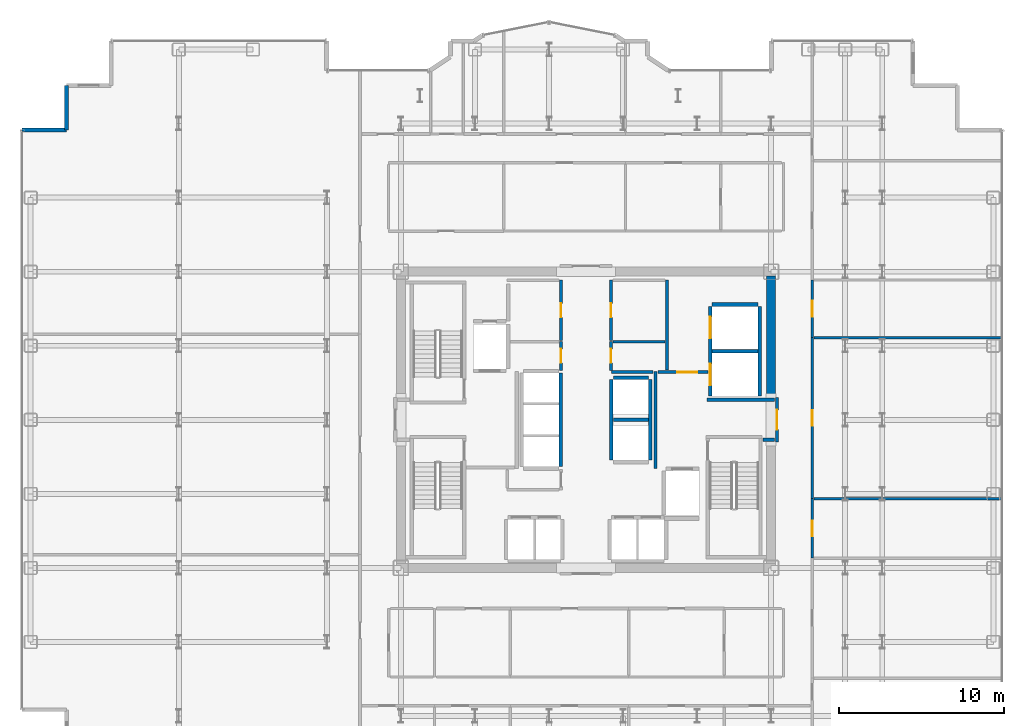
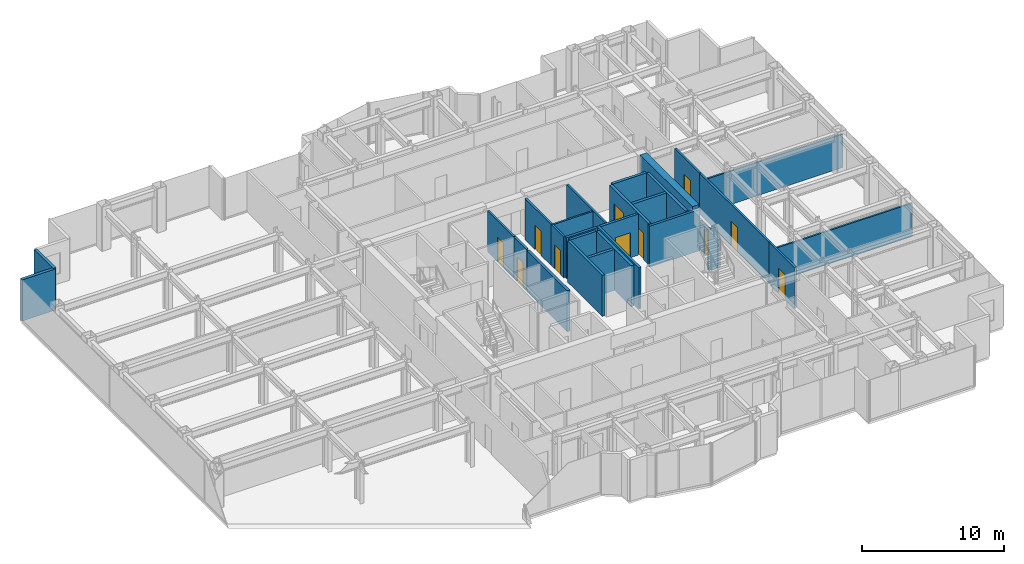
# One storey, part 20 of 23: 29 walls, 11 doors, 11 openings.
"""IFC4 building model written with IfcOpenShell, lengths in metres."""

import ifcopenshell
import ifcopenshell.guid

model = None  # the IFC model being written
_history = None  # IfcOwnerHistory: only IFC2X3 demands one
_inside = {}  # id of a spatial element -> (the spatial element, [elements in it])
_under = {}  # id of a project, library or spatial element -> (it, [spatial elements below it])
_declared = {}  # id of a project -> (the project, [libraries it declares])
_typed = {}  # id of a type object -> (the type object, [elements of that type])
_made_of = {}  # id of a material, layer set ... -> (it, [elements and type objects made of it])


def new_model(schema):
    """Start an empty IFC model of exactly this schema.

    Asked for "IFC4X3", IfcOpenShell would pick the latest addendum, in which some entities
    have other attributes; the version numbers below select the first issue.
    IFC2X3 requires an IfcOwnerHistory on every rooted entity: one is made here for all.
    """
    global model, _history
    if schema == "IFC4X3":
        model = ifcopenshell.file(schema_version=(4, 3, 0, 0))
    else:
        model = ifcopenshell.file(schema=schema)
    _inside.clear()
    _under.clear()
    _declared.clear()
    _typed.clear()
    _made_of.clear()
    _history = None
    if model.schema == "IFC2X3":
        org = make("IfcOrganization", Name="unknown")
        user = make(
            "IfcPersonAndOrganization",
            ThePerson=make("IfcPerson", FamilyName="unknown"),
            TheOrganization=org,
        )
        app = make(
            "IfcApplication",
            ApplicationDeveloper=org,
            Version="unknown",
            ApplicationFullName="unknown",
            ApplicationIdentifier="unknown",
        )
        _history = make(
            "IfcOwnerHistory",
            OwningUser=user,
            OwningApplication=app,
            ChangeAction="ADDED",
            CreationDate=0,
        )
    return model


def make(cls, **values):
    """One entity of the class cls with the attributes given. An attribute that is None is left unset."""
    return model.create_entity(
        cls, **{name: value for name, value in values.items() if value is not None}
    )


def rooted(cls, **values):
    """An entity with a GlobalId (a new one), such as an element, a storey or a relation."""
    return make(cls, GlobalId=ifcopenshell.guid.new(), OwnerHistory=_history, **values)


def si_unit(unit_type, name, prefix=None):
    """IfcSIUnit, for example si_unit("LENGTHUNIT", "METRE", prefix="MILLI")."""
    return make("IfcSIUnit", UnitType=unit_type, Prefix=prefix, Name=name)


def assignment(units):
    """IfcUnitAssignment: the units of a project."""
    return None if units is None else make("IfcUnitAssignment", Units=units)


def point(xyz):
    """IfcCartesianPoint."""
    return None if xyz is None else make("IfcCartesianPoint", Coordinates=xyz)


def direction(xyz):
    """IfcDirection."""
    return None if xyz is None else make("IfcDirection", DirectionRatios=xyz)


def frame(location, z_axis=None, x_axis=None):
    """IfcAxis2Placement3D, a coordinate frame: its origin and axes. An axis left out is left unset."""
    return make(
        "IfcAxis2Placement3D",
        Location=point(location),
        Axis=direction(z_axis),
        RefDirection=direction(x_axis),
    )


def frame_2d(location, x_axis=None):
    """IfcAxis2Placement2D, a coordinate frame in the plane: its origin and x axis."""
    return make(
        "IfcAxis2Placement2D", Location=point(location), RefDirection=direction(x_axis)
    )


def origin():
    """The frame at (0, 0, 0) with its axes left unset."""
    return frame((0.0, 0.0, 0.0))


def place(relative_to, where):
    """IfcLocalPlacement: puts the frame where relative to a parent placement (None: the world)."""
    return make(
        "IfcLocalPlacement", PlacementRelTo=relative_to, RelativePlacement=where
    )


def context(
    kind, dimensions, precision=None, world=None, true_north=None, identifier=None
):
    """IfcGeometricRepresentationContext, for example the 3D "Model" context."""
    return make(
        "IfcGeometricRepresentationContext",
        ContextIdentifier=identifier,
        ContextType=kind,
        CoordinateSpaceDimension=dimensions,
        Precision=precision,
        WorldCoordinateSystem=world,
        TrueNorth=true_north,
    )


def subcontext(parent, identifier, kind, view, scale=None):
    """IfcGeometricRepresentationSubContext, for example "Body" below "Model"."""
    return make(
        "IfcGeometricRepresentationSubContext",
        ContextIdentifier=identifier,
        ContextType=kind,
        ParentContext=parent,
        TargetScale=scale,
        TargetView=view,
    )


def project(units=None, contexts=None):
    """IfcProject with its units and contexts."""
    return rooted(
        "IfcProject",
        Name="project",
        RepresentationContexts=contexts,
        UnitsInContext=assignment(units),
    )


def spatial(cls, under=None, at=None, **own):
    """A site, building, storey or space (cls), placed at a placement, below another one or the project."""
    s = rooted(cls, ObjectPlacement=at, **own)
    if under is not None:
        _under.setdefault(under.id(), (under, []))[1].append(s)
    return s


def profile(cls, at=None, kind="AREA", **sizes):
    """A parametric profile (cls). Its sizes go by their IFC names, for example OverallWidth=200.0."""
    return make(cls, ProfileType=kind, Position=at, **sizes)


def rectangle(**sizes):
    """IfcRectangleProfileDef."""
    return profile("IfcRectangleProfileDef", **sizes)


def extrude(swept, where, along, depth):
    """IfcExtrudedAreaSolid: the profile swept, set in the frame where, extruded along a direction by depth."""
    return make(
        "IfcExtrudedAreaSolid",
        SweptArea=swept,
        Position=where,
        ExtrudedDirection=direction(along),
        Depth=depth,
    )


def shape(context_of_items, identifier, shape_type, items):
    """IfcShapeRepresentation: the items that make up one representation, for example the "Body"."""
    return make(
        "IfcShapeRepresentation",
        ContextOfItems=context_of_items,
        RepresentationIdentifier=identifier,
        RepresentationType=shape_type,
        Items=items,
    )


def source(mapping_origin, context_of_items, identifier, shape_type, items):
    """IfcRepresentationMap: a shape defined once, which mapped items show again and again."""
    return make(
        "IfcRepresentationMap",
        MappingOrigin=mapping_origin,
        MappedRepresentation=shape(context_of_items, identifier, shape_type, items),
    )


def transform(
    local_origin,
    x_axis=None,
    y_axis=None,
    z_axis=None,
    scale=None,
    scale2=None,
    scale3=None,
    uniform=True,
):
    """IfcCartesianTransformationOperator3D, or its non-uniform kind. x_axis, y_axis, z_axis: its Axis1, 2, 3."""
    if uniform:
        return make(
            "IfcCartesianTransformationOperator3D",
            Axis1=direction(x_axis),
            Axis2=direction(y_axis),
            LocalOrigin=point(local_origin),
            Scale=scale,
            Axis3=direction(z_axis),
        )
    return make(
        "IfcCartesianTransformationOperator3DnonUniform",
        Axis1=direction(x_axis),
        Axis2=direction(y_axis),
        LocalOrigin=point(local_origin),
        Scale=scale,
        Axis3=direction(z_axis),
        Scale2=scale2,
        Scale3=scale3,
    )


def mapped(mapping_source, mapping_target):
    """IfcMappedItem: shows the shape of a source again, moved by a transform."""
    return make(
        "IfcMappedItem", MappingSource=mapping_source, MappingTarget=mapping_target
    )


def material(Name=None, Category=None):
    """IfcMaterial."""
    return make("IfcMaterial", Name=Name, Category=Category)


def layer(
    of_material, thickness, ventilated=None, Name=None, Category=None, Priority=None
):
    """IfcMaterialLayer: one layer of a wall or slab, of a material (None: an air gap)."""
    return make(
        "IfcMaterialLayer",
        Material=of_material,
        LayerThickness=thickness,
        IsVentilated=ventilated,
        Name=Name,
        Category=Category,
        Priority=Priority,
    )


def layer_set(layers, Name=None):
    """IfcMaterialLayerSet."""
    return make("IfcMaterialLayerSet", MaterialLayers=layers, LayerSetName=Name)


def made_of(thing, what):
    """Note that an element or type object is made of a material, layer set ...; save() writes the relation."""
    if what is not None:
        _made_of.setdefault(what.id(), (what, []))[1].append(thing)
    return thing


def type_object(cls, material=None, **own):
    """A type object (cls), such as IfcWallType, which elements share."""
    return made_of(rooted(cls, **own), material)


def element(
    cls,
    number,
    at=None,
    inside=None,
    cuts=None,
    type_object=None,
    material=None,
    context=None,
    identifier="Body",
    shape_type=None,
    held_by="IfcProductDefinitionShape",
    body=None,
    shapes=None,
    **own,
):
    """One element of the class cls, such as IfcWall. Its Tag is "e" and its number.

    at: its placement. inside: the storey or other place that contains it. cuts: it is an
    opening in that element (IfcRelVoidsElement). A single representation is given by context,
    identifier, shape_type and body (its items); several are given by shapes. held_by: the class
    of the entity that holds the representations. save() writes the other relations.
    """
    e = rooted(cls, Tag="e%d" % number, ObjectPlacement=at, **own)
    if body is not None:
        shapes = [shape(context, identifier, shape_type, body)]
    if shapes is not None:
        e.Representation = make(held_by, Representations=shapes)
    if inside is not None:
        _inside.setdefault(inside.id(), (inside, []))[1].append(e)
    if cuts is not None:
        rooted(
            "IfcRelVoidsElement", RelatingBuildingElement=cuts, RelatedOpeningElement=e
        )
    if type_object is not None:
        _typed.setdefault(type_object.id(), (type_object, []))[1].append(e)
    return made_of(e, material)


def fill(opening, filler):
    """IfcRelFillsElement: the door or window that sits in an opening."""
    return rooted(
        "IfcRelFillsElement",
        RelatingOpeningElement=opening,
        RelatedBuildingElement=filler,
    )


def aggregate(whole, parts):
    """IfcRelAggregates: a whole, such as a stair, and the parts it consists of."""
    return rooted("IfcRelAggregates", RelatingObject=whole, RelatedObjects=parts)


def save(model, path):
    """Write the relations noted so far, then the file.

    IfcRelAggregates (storeys below a building ...), IfcRelContainedInSpatialStructure (elements
    in a storey), IfcRelDefinesByType, IfcRelAssociatesMaterial and IfcRelDeclares: one each for
    every whole, place, type object, material and project.
    """
    for whole, parts in _under.values():
        aggregate(whole, parts)
    for where, things in _inside.values():
        rooted(
            "IfcRelContainedInSpatialStructure",
            RelatedElements=things,
            RelatingStructure=where,
        )
    for kind, things in _typed.values():
        rooted("IfcRelDefinesByType", RelatedObjects=things, RelatingType=kind)
    for what, things in _made_of.values():
        rooted("IfcRelAssociatesMaterial", RelatedObjects=things, RelatingMaterial=what)
    for by, libraries in _declared.values():
        rooted("IfcRelDeclares", RelatingContext=by, RelatedDefinitions=libraries)
    model.write(path)


model = new_model("IFC4")

# Units and contexts
model_context = context("Model", 3, precision=1e-05, world=origin(), true_north=direction((0.0, 1.0)))
body_context = subcontext(model_context, "Body", "Model", "MODEL_VIEW")
ifc_project = project(units=[si_unit("LENGTHUNIT", "METRE"), si_unit("AREAUNIT", "SQUARE_METRE"), si_unit("VOLUMEUNIT", "CUBIC_METRE"), si_unit("PLANEANGLEUNIT", "RADIAN"), si_unit("MASSUNIT", "GRAM", prefix="KILO")], contexts=[model_context])

# Site, building, storey
site_placement = place(None, origin())
site = spatial("IfcSite", under=ifc_project, at=site_placement, CompositionType="ELEMENT")
building_placement = place(site_placement, origin())
building = spatial("IfcBuilding", under=site, at=building_placement, Name="Nefas-Gora Pilgrimage Tower", CompositionType="ELEMENT")
storey_placement = place(building_placement, frame((0.0, 0.0, 152.60009765625)))
storey = spatial("IfcBuildingStorey", under=building, at=storey_placement, Name="L37", CompositionType="ELEMENT", Elevation=152.60009765625)

# Walls
ifc_material_1 = material(Name="Concrete C60/75", Category="concrete")
ifc_layer_1 = layer(ifc_material_1, 0.550048828125)
ifc_layer_set_1 = layer_set([ifc_layer_1], Name="Concrete C60/75")
wall_type_1 = type_object("IfcWallType", Name="SW-CORE-550", PredefinedType="SHEAR", material=ifc_layer_set_1)
shared_shape_1 = source(origin(), body_context, "Body", "SweptSolid", [
    extrude(rectangle(XDim=7.375, YDim=0.550048828125, at=frame_2d((3.6875, 0.0))), origin(), (0.0, 0.0, 1.0), 3.7998046875),
])
wall_1_placement = place(storey_placement, frame((11.25, 1.35009765625, 0.0), z_axis=(0.0, 0.0, 1.0), x_axis=(0.0, 1.0, 0.0)))
element("IfcWall", 1, at=wall_1_placement, inside=storey, type_object=wall_type_1, Name="L37 Core Shear Wall E-North", PredefinedType="SHEAR", context=body_context, shape_type="MappedRepresentation", body=[
    mapped(shared_shape_1, transform((0.0, 0.0, 0.0), x_axis=(1.0, 0.0, 0.0), y_axis=(0.0, 1.0, 0.0), z_axis=(0.0, 0.0, 1.0), scale=1.0)),
])
ifc_material_2 = material(Name="Precast concrete C45/55", Category="concrete")
ifc_layer_2 = layer(ifc_material_2, 0.239990234375)
ifc_layer_set_2 = layer_set([ifc_layer_2], Name="Precast concrete C45/55")
wall_type_2 = type_object("IfcWallType", Name="EW-SERR-240", PredefinedType="SHEAR", material=ifc_layer_set_2)
shared_shape_2 = source(origin(), body_context, "Body", "SweptSolid", [
    extrude(rectangle(XDim=2.699951171875, YDim=0.239990234375, at=frame_2d((1.35009765625, 0.0))), origin(), (0.0, 0.0, 1.0), 3.5498046875),
])
for number, where, z_axis, x_axis, name in (
    (2, (-31.570068359375, 20.320068359375, 0.0), (0.0, 0.0, 1.0), (0.0, -1.0, 0.0), "L37 Serrated Corner Shear Pier Wall 22"),
    (3, (-31.570068359375, 17.6201171875, 0.0), (0.0, 0.0, 1.0), (-1.0, 0.0, 0.0), "L37 Serrated Corner Shear Pier Wall 23"),
):
    element("IfcWall", number, at=place(storey_placement, frame(where, z_axis=z_axis, x_axis=x_axis)), inside=storey, type_object=wall_type_2, Name=name, PredefinedType="SHEAR", context=body_context, shape_type="MappedRepresentation", body=[
        mapped(shared_shape_2, transform((0.0, 0.0, 0.0), x_axis=(1.0, 0.0, 0.0), y_axis=(0.0, 1.0, 0.0), z_axis=(0.0, 0.0, 1.0), scale=1.0)),
    ])

# Wall, openings, doors
ifc_material_3 = material(Name="Concrete C40/50", Category="concrete")
ifc_layer_3 = layer(ifc_material_3, 0.219970703125)
ifc_layer_set_3 = layer_set([ifc_layer_3], Name="Concrete C40/50")
wall_type_3 = type_object("IfcWallType", Name="IW-SHAFT-220", PredefinedType="SOLIDWALL", material=ifc_layer_set_3)
shared_shape_3 = source(origin(), body_context, "Body", "SweptSolid", [
    extrude(rectangle(XDim=5.449951171875, YDim=0.219970703125, at=frame_2d((2.72509765625, 0.0))), origin(), (0.0, 0.0, 1.0), 3.534912109375),
])
wall_2_placement = place(storey_placement, frame((7.5400390625, 6.89990234375, 0.0), z_axis=(0.0, 0.0, 1.0), x_axis=(0.0, -1.0, 0.0)))
wall_2 = element("IfcWall", 4, at=wall_2_placement, inside=storey, type_object=wall_type_3, Name="L37 Hoistway Wall SL-01-02-W", PredefinedType="SOLIDWALL", context=body_context, shape_type="MappedRepresentation", body=[
    mapped(shared_shape_3, transform((0.0, 0.0, 0.0), x_axis=(1.0, 0.0, 0.0), y_axis=(0.0, 1.0, 0.0), z_axis=(0.0, 0.0, 1.0), scale=1.0)),
])
opening_1_placement = place(wall_2_placement, frame((3.5, 0.0, 0.0)))
opening_1 = element("IfcOpeningElement", 5, at=opening_1_placement, cuts=wall_2, Name="Opening LD-SV", PredefinedType="OPENING", context=body_context, shape_type="SweptSolid", body=[
    extrude(rectangle(XDim=1.300048828125, YDim=2.300048828125, at=frame_2d((0.64990234375, 1.14990234375))), frame((0.0, 0.119873046875, 0.0), z_axis=(0.0, -1.0, 0.0), x_axis=(1.0, 0.0, 0.0)), (0.0, 0.0, 1.0), 0.239990234375),
])
opening_2_placement = place(wall_2_placement, frame((0.64990234375, 0.0, 0.0)))
opening_2 = element("IfcOpeningElement", 6, at=opening_2_placement, cuts=wall_2, Name="Opening LD-SV", PredefinedType="OPENING", context=body_context, shape_type="SweptSolid", body=[
    extrude(rectangle(XDim=1.300048828125, YDim=2.300048828125, at=frame_2d((0.64990234375, 1.14990234375))), frame((0.0, 0.119873046875, 0.0), z_axis=(0.0, -1.0, 0.0), x_axis=(1.0, 0.0, 0.0)), (0.0, 0.0, 1.0), 0.239990234375),
])
ifc_material_4 = material(Name="Heavy goods sliding lift landing door")
door_type_1 = type_object("IfcDoorType", Name="DR-LIFT-SERV-1300", OperationType="SLIDING_TO_RIGHT", PredefinedType="DOOR", material=ifc_material_4)
shared_shape_4 = source(origin(), body_context, "Body", "SweptSolid", [
    extrude(rectangle(XDim=1.300048828125, YDim=2.300048828125, at=frame_2d((0.64990234375, 1.14990234375))), frame((0.0, 0.02490234375, 0.0), z_axis=(0.0, -1.0, 0.0), x_axis=(1.0, 0.0, 0.0)), (0.0, 0.0, 1.0), 0.050048828125),
])
door_1_placement = place(opening_1_placement, origin())
door_1 = element("IfcDoor", 7, at=door_1_placement, inside=storey, type_object=door_type_1, Name="L37 Sliding Lift Landing Door SL-01", OperationType="SLIDING_TO_RIGHT", OverallHeight=2.300048828125, OverallWidth=1.300048828125, PredefinedType="DOOR", context=body_context, shape_type="MappedRepresentation", body=[
    mapped(shared_shape_4, transform((0.0, 0.0, 0.0), x_axis=(1.0, 0.0, 0.0), y_axis=(0.0, 1.0, 0.0), z_axis=(0.0, 0.0, 1.0), scale=1.0)),
])
fill(opening_1, door_1)
door_2_placement = place(opening_2_placement, origin())
door_2 = element("IfcDoor", 8, at=door_2_placement, inside=storey, type_object=door_type_1, Name="L37 Sliding Lift Landing Door SL-02", OperationType="SLIDING_TO_RIGHT", OverallHeight=2.300048828125, OverallWidth=1.300048828125, PredefinedType="DOOR", context=body_context, shape_type="MappedRepresentation", body=[
    mapped(shared_shape_4, transform((0.0, 0.0, 0.0), x_axis=(1.0, 0.0, 0.0), y_axis=(0.0, 1.0, 0.0), z_axis=(0.0, 0.0, 1.0), scale=1.0)),
])
fill(opening_2, door_2)

# Walls
wall_3_placement = place(storey_placement, frame((10.56005859375, 1.449951171875, 0.0), z_axis=(0.0, 0.0, 1.0), x_axis=(0.0, 1.0, 0.0)))
element("IfcWall", 9, at=wall_3_placement, inside=storey, type_object=wall_type_3, Name="L37 Hoistway Wall SL-01-02-E", PredefinedType="SOLIDWALL", context=body_context, shape_type="MappedRepresentation", body=[
    mapped(shared_shape_3, transform((0.0, 0.0, 0.0), x_axis=(1.0, 0.0, 0.0), y_axis=(0.0, 1.0, 0.0), z_axis=(0.0, 0.0, 1.0), scale=1.0)),
])
shared_shape_5 = source(origin(), body_context, "Body", "SweptSolid", [
    extrude(rectangle(XDim=2.780029296875, YDim=0.219970703125, at=frame_2d((1.39013671875, 0.0))), origin(), (0.0, 0.0, 1.0), 3.534912109375),
])
for number, where, z_axis, x_axis, name in (
    (10, (7.659912109375, 4.175048828125, 0.0), (0.0, 0.0, 1.0), (1.0, 0.0, 0.0), "L37 Hoistway Wall SL-01-02-DIV"),
    (11, (10.43994140625, 7.010009765625, 0.0), (0.0, 0.0, 1.0), (-1.0, 0.0, 0.0), "L37 Hoistway Wall SL-02-N"),
):
    element("IfcWall", number, at=place(storey_placement, frame(where, z_axis=z_axis, x_axis=x_axis)), inside=storey, type_object=wall_type_3, Name=name, PredefinedType="SOLIDWALL", context=body_context, shape_type="MappedRepresentation", body=[
        mapped(shared_shape_5, transform((0.0, 0.0, 0.0), x_axis=(1.0, 0.0, 0.0), y_axis=(0.0, 1.0, 0.0), z_axis=(0.0, 0.0, 1.0), scale=1.0)),
    ])
shared_shape_6 = source(origin(), body_context, "Body", "SweptSolid", [
    extrude(rectangle(XDim=5.7001953125, YDim=0.219970703125, at=frame_2d((2.85009765625, 0.0))), origin(), (0.0, 0.0, 1.0), 3.534912109375),
])
wall_4_placement = place(storey_placement, frame((-1.5400390625, -2.85009765625, 0.0), z_axis=(0.0, 0.0, 1.0), x_axis=(0.0, 1.0, 0.0)))
element("IfcWall", 12, at=wall_4_placement, inside=storey, type_object=wall_type_3, Name="L37 Hoistway Wall PL3-01-03-E", PredefinedType="SOLIDWALL", context=body_context, shape_type="MappedRepresentation", body=[
    mapped(shared_shape_6, transform((0.0, 0.0, 0.0), x_axis=(1.0, 0.0, 0.0), y_axis=(0.0, 1.0, 0.0), z_axis=(0.0, 0.0, 1.0), scale=1.0)),
])
shared_shape_7 = source(origin(), body_context, "Body", "SweptSolid", [
    extrude(rectangle(XDim=2.130126953125, YDim=0.219970703125, at=frame_2d((1.06494140625, 0.0))), origin(), (0.0, 0.0, 1.0), 3.534912109375),
])
for number, where, z_axis, x_axis, name in (
    (13, (1.659912109375, 0.0, 0.0), (0.0, 0.0, 1.0), (1.0, 0.0, 0.0), "L37 Hoistway Wall OBS-01-02-DIV"),
    (14, (3.7900390625, 2.56005859375, 0.0), (0.0, 0.0, 1.0), (-1.0, 0.0, 0.0), "L37 Hoistway Wall OBS-02-N"),
):
    element("IfcWall", number, at=place(storey_placement, frame(where, z_axis=z_axis, x_axis=x_axis)), inside=storey, type_object=wall_type_3, Name=name, PredefinedType="SOLIDWALL", context=body_context, shape_type="MappedRepresentation", body=[
        mapped(shared_shape_7, transform((0.0, 0.0, 0.0), x_axis=(1.0, 0.0, 0.0), y_axis=(0.0, 1.0, 0.0), z_axis=(0.0, 0.0, 1.0), scale=1.0)),
    ])
shared_shape_8 = source(origin(), body_context, "Body", "SweptSolid", [
    extrude(rectangle(XDim=4.89990234375, YDim=0.219970703125, at=frame_2d((2.449951171875, 0.0))), origin(), (0.0, 0.0, 1.0), 3.534912109375),
])
for number, where, z_axis, x_axis, name in (
    (15, (1.5400390625, 2.449951171875, 0.0), (0.0, 0.0, 1.0), (0.0, -1.0, 0.0), "L37 Hoistway Wall OBS-01-02-W"),
    (16, (3.909912109375, -2.449951171875, 0.0), (0.0, 0.0, 1.0), (0.0, 1.0, 0.0), "L37 Hoistway Wall OBS-01-02-E"),
):
    element("IfcWall", number, at=place(storey_placement, frame(where, z_axis=z_axis, x_axis=x_axis)), inside=storey, type_object=wall_type_3, Name=name, PredefinedType="SOLIDWALL", context=body_context, shape_type="MappedRepresentation", body=[
        mapped(shared_shape_8, transform((0.0, 0.0, 0.0), x_axis=(1.0, 0.0, 0.0), y_axis=(0.0, 1.0, 0.0), z_axis=(0.0, 0.0, 1.0), scale=1.0)),
    ])
ifc_material_5 = material(Name="Gypsum fire-rated shaftwall")
ifc_layer_4 = layer(ifc_material_5, 0.199951171875)
ifc_layer_set_4 = layer_set([ifc_layer_4], Name="Gypsum fire-rated shaftwall")
wall_type_4 = type_object("IfcWallType", Name="IW-FFLOB-200", PredefinedType="PARTITIONING", material=ifc_layer_set_4)
shared_shape_9 = source(origin(), body_context, "Body", "SweptSolid", [
    extrude(rectangle(XDim=5.89990234375, YDim=0.199951171875, at=frame_2d((2.949951171875, 0.0))), origin(), (0.0, 0.0, 1.0), 3.534912109375),
])
wall_5_placement = place(storey_placement, frame((4.219970703125, -2.949951171875, 0.0), z_axis=(0.0, 0.0, 1.0), x_axis=(0.0, 1.0, 0.0)))
element("IfcWall", 17, at=wall_5_placement, inside=storey, type_object=wall_type_4, Name="L37 FF Lobby East Inner Wall Wall 10", PredefinedType="PARTITIONING", context=body_context, shape_type="MappedRepresentation", body=[
    mapped(shared_shape_9, transform((0.0, 0.0, 0.0), x_axis=(1.0, 0.0, 0.0), y_axis=(0.0, 1.0, 0.0), z_axis=(0.0, 0.0, 1.0), scale=1.0)),
])
shared_shape_10 = source(origin(), body_context, "Body", "SweptSolid", [
    extrude(rectangle(XDim=0.719970703125, YDim=0.199951171875, at=frame_2d((0.35986328125, 0.0))), origin(), (0.0, 0.0, 1.0), 3.534912109375),
])
wall_6_placement = place(storey_placement, frame((10.739990234375, -1.219970703125, 0.0), z_axis=(0.0, 0.0, 1.0), x_axis=(1.0, 0.0, 0.0)))
element("IfcWall", 18, at=wall_6_placement, inside=storey, type_object=wall_type_4, Name="L37 FF Lobby East Throat S Wall 14", PredefinedType="PARTITIONING", context=body_context, shape_type="MappedRepresentation", body=[
    mapped(shared_shape_10, transform((0.0, 0.0, 0.0), x_axis=(1.0, 0.0, 0.0), y_axis=(0.0, 1.0, 0.0), z_axis=(0.0, 0.0, 1.0), scale=1.0)),
])

# Wall, opening, door
shared_shape_11 = source(origin(), body_context, "Body", "SweptSolid", [
    extrude(rectangle(XDim=3.039794921875, YDim=0.199951171875, at=frame_2d((1.52001953125, 0.0))), origin(), (0.0, 0.0, 1.0), 3.534912109375),
])
wall_7_placement = place(storey_placement, frame((4.360107421875, 2.89990234375, 0.0), z_axis=(0.0, 0.0, 1.0), x_axis=(1.0, 0.0, 0.0)))
wall_7 = element("IfcWall", 19, at=wall_7_placement, inside=storey, type_object=wall_type_4, Name="L37 FF Lobby East North Wall Wall 12", PredefinedType="PARTITIONING", context=body_context, shape_type="MappedRepresentation", body=[
    mapped(shared_shape_11, transform((0.0, 0.0, 0.0), x_axis=(1.0, 0.0, 0.0), y_axis=(0.0, 1.0, 0.0), z_axis=(0.0, 0.0, 1.0), scale=1.0)),
])
opening_3_placement = place(wall_7_placement, frame((1.18994140625, 0.0, 0.0)))
opening_3 = element("IfcOpeningElement", 20, at=opening_3_placement, cuts=wall_7, Name="Opening ID-PL1", PredefinedType="OPENING", context=body_context, shape_type="SweptSolid", body=[
    extrude(rectangle(XDim=1.199951171875, YDim=2.14990234375, at=frame_2d((0.60009765625, 1.074951171875))), frame((0.0, 0.10986328125, 0.0), z_axis=(0.0, -1.0, 0.0), x_axis=(1.0, 0.0, 0.0)), (0.0, 0.0, 1.0), 0.219970703125),
])
ifc_material_6 = material(Name="Heavy-duty steel plant room fire door", Category="steel")
door_type_2 = type_object("IfcDoorType", Name="DR-INT-PLANT-1200", OperationType="NOTDEFINED", PredefinedType="DOOR", material=ifc_material_6)
shared_shape_12 = source(origin(), body_context, "Body", "SweptSolid", [
    extrude(rectangle(XDim=1.199951171875, YDim=2.14990234375, at=frame_2d((0.60009765625, 1.074951171875))), frame((0.0, 0.02490234375, 0.0), z_axis=(0.0, -1.0, 0.0), x_axis=(1.0, 0.0, 0.0)), (0.0, 0.0, 1.0), 0.050048828125),
])
door_3_placement = place(opening_3_placement, origin())
door_3 = element("IfcDoor", 21, at=door_3_placement, inside=storey, type_object=door_type_2, Name="L37 Service Lift Lobby Door Door 4", OperationType="SINGLE_SWING_LEFT", OverallHeight=2.14990234375, OverallWidth=1.199951171875, PredefinedType="DOOR", context=body_context, shape_type="MappedRepresentation", body=[
    mapped(shared_shape_12, transform((0.0, 0.0, 0.0), x_axis=(1.0, 0.0, 0.0), y_axis=(0.0, 1.0, 0.0), z_axis=(0.0, 0.0, 1.0), scale=1.0)),
])
fill(opening_3, door_3)

# Wall
shared_shape_13 = source(origin(), body_context, "Body", "SweptSolid", [
    extrude(rectangle(XDim=4.10986328125, YDim=0.199951171875, at=frame_2d((2.054931640625, 0.0))), origin(), (0.0, 0.0, 1.0), 3.534912109375),
])
wall_8_placement = place(storey_placement, frame((7.35009765625, 1.219970703125, 0.0), z_axis=(0.0, 0.0, 1.0), x_axis=(1.0, 0.0, 0.0)))
element("IfcWall", 22, at=wall_8_placement, inside=storey, type_object=wall_type_4, Name="L37 FF Lobby East Throat N Wall 13", PredefinedType="PARTITIONING", context=body_context, shape_type="MappedRepresentation", body=[
    mapped(shared_shape_13, transform((0.0, 0.0, 0.0), x_axis=(1.0, 0.0, 0.0), y_axis=(0.0, 1.0, 0.0), z_axis=(0.0, 0.0, 1.0), scale=1.0)),
])

# Wall, opening, door
ifc_material_7 = material(Name="Gypsum acoustic stud partition")
ifc_layer_5 = layer(ifc_material_7, 0.159912109375)
ifc_layer_set_5 = layer_set([ifc_layer_5], Name="Gypsum acoustic stud partition")
wall_type_5 = type_object("IfcWallType", Name="IW-CORR-160", PredefinedType="PARTITIONING", material=ifc_layer_set_5)
shared_shape_14 = source(origin(), body_context, "Body", "SweptSolid", [
    extrude(rectangle(XDim=3.610107421875, YDim=0.159912109375, at=frame_2d((1.80517578125, 0.0))), origin(), (0.0, 0.0, 1.0), 3.534912109375),
])
wall_9_placement = place(storey_placement, frame((13.739990234375, -8.405029296875, 0.0), z_axis=(0.0, 0.0, 1.0), x_axis=(0.0, 1.0, 0.0)))
wall_9 = element("IfcWall", 23, at=wall_9_placement, inside=storey, type_object=wall_type_5, Name="L37 Pastoral Chaplains Counselling Office Partition Wall 41", PredefinedType="PARTITIONING", context=body_context, shape_type="MappedRepresentation", body=[
    mapped(shared_shape_14, transform((0.0, 0.0, 0.0), x_axis=(1.0, 0.0, 0.0), y_axis=(0.0, 1.0, 0.0), z_axis=(0.0, 0.0, 1.0), scale=1.0)),
])
opening_4_placement = place(wall_9_placement, frame((1.330078125, 0.0, 0.0)))
opening_4 = element("IfcOpeningElement", 24, at=opening_4_placement, cuts=wall_9, Name="Opening ID-GR1", PredefinedType="OPENING", context=body_context, shape_type="SweptSolid", body=[
    extrude(rectangle(XDim=0.949951171875, YDim=2.10009765625, at=frame_2d((0.47509765625, 1.050048828125))), frame((0.0, 0.08984375, 0.0), z_axis=(0.0, -1.0, 0.0), x_axis=(1.0, 0.0, 0.0)), (0.0, 0.0, 1.0), 0.179931640625),
])
ifc_material_8 = material(Name="Solid core oak fire-rated guest entrance door")
door_type_3 = type_object("IfcDoorType", Name="DR-INT-GUEST-950", OperationType="NOTDEFINED", PredefinedType="DOOR", material=ifc_material_8)
shared_shape_15 = source(origin(), body_context, "Body", "SweptSolid", [
    extrude(rectangle(XDim=0.949951171875, YDim=2.10009765625, at=frame_2d((0.47509765625, 1.050048828125))), frame((0.0, 0.02490234375, 0.0), z_axis=(0.0, -1.0, 0.0), x_axis=(1.0, 0.0, 0.0)), (0.0, 0.0, 1.0), 0.050048828125),
])
door_4_placement = place(opening_4_placement, origin())
door_4 = element("IfcDoor", 25, at=door_4_placement, inside=storey, type_object=door_type_3, Name="L37 Pastoral Chaplains Counselling Office Door 18", OperationType="SINGLE_SWING_LEFT", OverallHeight=2.10009765625, OverallWidth=0.949951171875, PredefinedType="DOOR", context=body_context, shape_type="MappedRepresentation", body=[
    mapped(shared_shape_15, transform((0.0, 0.0, 0.0), x_axis=(1.0, 0.0, 0.0), y_axis=(0.0, 1.0, 0.0), z_axis=(0.0, 0.0, 1.0), scale=1.0)),
])
fill(opening_4, door_4)

shared_shape_16 = source(origin(), body_context, "Body", "SweptSolid", [
    extrude(rectangle(XDim=2.7001953125, YDim=0.199951171875, at=frame_2d((1.35009765625, 0.0))), origin(), (0.0, 0.0, 1.0), 2.4248046875),
])
wall_10_placement = place(storey_placement, frame((11.60009765625, -1.35009765625, 0.0), z_axis=(0.0, 0.0, 1.0), x_axis=(0.0, 1.0, 0.0)))
wall_10 = element("IfcWall", 26, at=wall_10_placement, inside=storey, type_object=wall_type_4, Name="L37 FF Lobby East Portal Wall 9", PredefinedType="PARTITIONING", context=body_context, shape_type="MappedRepresentation", body=[
    mapped(shared_shape_16, transform((0.0, 0.0, 0.0), x_axis=(1.0, 0.0, 0.0), y_axis=(0.0, 1.0, 0.0), z_axis=(0.0, 0.0, 1.0), scale=1.0)),
])
opening_5_placement = place(wall_10_placement, frame((0.75, 0.0, 0.0)))
opening_5 = element("IfcOpeningElement", 27, at=opening_5_placement, cuts=wall_10, Name="Opening ID-FF1", PredefinedType="OPENING", context=body_context, shape_type="SweptSolid", body=[
    extrude(rectangle(XDim=1.199951171875, YDim=2.14990234375, at=frame_2d((0.60009765625, 1.074951171875))), frame((0.0, 0.10986328125, 0.0), z_axis=(0.0, -1.0, 0.0), x_axis=(1.0, 0.0, 0.0)), (0.0, 0.0, 1.0), 0.219970703125),
])
ifc_material_9 = material(Name="Smoke-sealed steel firefighting lobby door", Category="steel")
door_type_4 = type_object("IfcDoorType", Name="DR-INT-FFLOB-1200", OperationType="NOTDEFINED", PredefinedType="DOOR", material=ifc_material_9)
door_5_placement = place(opening_5_placement, origin())
door_5 = element("IfcDoor", 28, at=door_5_placement, inside=storey, type_object=door_type_4, Name="L37 FF Lobby East Portal Door 3", OperationType="SINGLE_SWING_RIGHT", OverallHeight=2.14990234375, OverallWidth=1.199951171875, PredefinedType="DOOR", context=body_context, shape_type="MappedRepresentation", body=[
    mapped(shared_shape_12, transform((0.0, 0.0, 0.0), x_axis=(1.0, 0.0, 0.0), y_axis=(0.0, 1.0, 0.0), z_axis=(0.0, 0.0, 1.0), scale=1.0)),
])
fill(opening_5, door_5)

# Wall
ifc_material_10 = material(Name="Gypsum twin-stud partition")
ifc_layer_6 = layer(ifc_material_10, 0.139892578125)
ifc_layer_set_6 = layer_set([ifc_layer_6], Name="Gypsum twin-stud partition")
wall_type_6 = type_object("IfcWallType", Name="IW-UNIT-140", PredefinedType="PARTITIONING", material=ifc_layer_set_6)
shared_shape_17 = source(origin(), body_context, "Body", "SweptSolid", [
    extrude(rectangle(XDim=3.150146484375, YDim=0.139892578125, at=frame_2d((1.5751953125, 0.0))), origin(), (0.0, 0.0, 1.0), 3.534912109375),
])
wall_11_placement = place(storey_placement, frame((1.639892578125, 4.75, 0.0), z_axis=(0.0, 0.0, 1.0), x_axis=(1.0, 0.0, 0.0)))
element("IfcWall", 29, at=wall_11_placement, inside=storey, type_object=wall_type_6, Name="L37 Clean Blanket and Robe Store Partition Wall 23", PredefinedType="PARTITIONING", context=body_context, shape_type="MappedRepresentation", body=[
    mapped(shared_shape_17, transform((0.0, 0.0, 0.0), x_axis=(1.0, 0.0, 0.0), y_axis=(0.0, 1.0, 0.0), z_axis=(0.0, 0.0, 1.0), scale=1.0)),
])

# Wall, opening, door
shared_shape_18 = source(origin(), body_context, "Body", "SweptSolid", [
    extrude(rectangle(XDim=9.809814453125, YDim=0.159912109375, at=frame_2d((4.90478515625, 0.0))), origin(), (0.0, 0.0, 1.0), 3.534912109375),
])
wall_12_placement = place(storey_placement, frame((13.739990234375, -4.804931640625, 0.0), z_axis=(0.0, 0.0, 1.0), x_axis=(0.0, 1.0, 0.0)))
wall_12 = element("IfcWall", 30, at=wall_12_placement, inside=storey, type_object=wall_type_5, Name="L37 Pilgrim Contemplative Lounge Partition Wall 43", PredefinedType="PARTITIONING", context=body_context, shape_type="MappedRepresentation", body=[
    mapped(shared_shape_18, transform((0.0, 0.0, 0.0), x_axis=(1.0, 0.0, 0.0), y_axis=(0.0, 1.0, 0.0), z_axis=(0.0, 0.0, 1.0), scale=1.0)),
])
opening_6_placement = place(wall_12_placement, frame((4.429931640625, 0.0, 0.0)))
opening_6 = element("IfcOpeningElement", 31, at=opening_6_placement, cuts=wall_12, Name="Opening ID-GR1", PredefinedType="OPENING", context=body_context, shape_type="SweptSolid", body=[
    extrude(rectangle(XDim=0.949951171875, YDim=2.10009765625, at=frame_2d((0.47509765625, 1.050048828125))), frame((0.0, 0.08984375, 0.0), z_axis=(0.0, -1.0, 0.0), x_axis=(1.0, 0.0, 0.0)), (0.0, 0.0, 1.0), 0.179931640625),
])
door_6_placement = place(opening_6_placement, origin())
door_6 = element("IfcDoor", 32, at=door_6_placement, inside=storey, type_object=door_type_3, Name="L37 Pilgrim Contemplative Lounge Door 19", OperationType="SINGLE_SWING_RIGHT", OverallHeight=2.10009765625, OverallWidth=0.949951171875, PredefinedType="DOOR", context=body_context, shape_type="MappedRepresentation", body=[
    mapped(shared_shape_15, transform((0.0, 0.0, 0.0), x_axis=(1.0, 0.0, 0.0), y_axis=(0.0, 1.0, 0.0), z_axis=(0.0, 0.0, 1.0), scale=1.0)),
])
fill(opening_6, door_6)

shared_shape_19 = source(origin(), body_context, "Body", "SweptSolid", [
    extrude(rectangle(XDim=3.509765625, YDim=0.159912109375, at=frame_2d((1.7548828125, 0.0))), origin(), (0.0, 0.0, 1.0), 3.534912109375),
])
wall_13_placement = place(storey_placement, frame((13.739990234375, 4.9951171875, 0.0), z_axis=(0.0, 0.0, 1.0), x_axis=(0.0, 1.0, 0.0)))
wall_13 = element("IfcWall", 33, at=wall_13_placement, inside=storey, type_object=wall_type_5, Name="L37 Scripture Reading Study Partition Wall 45", PredefinedType="PARTITIONING", context=body_context, shape_type="MappedRepresentation", body=[
    mapped(shared_shape_19, transform((0.0, 0.0, 0.0), x_axis=(1.0, 0.0, 0.0), y_axis=(0.0, 1.0, 0.0), z_axis=(0.0, 0.0, 1.0), scale=1.0)),
])
opening_7_placement = place(wall_13_placement, frame((1.280029296875, 0.0, 0.0)))
opening_7 = element("IfcOpeningElement", 34, at=opening_7_placement, cuts=wall_13, Name="Opening ID-GR1", PredefinedType="OPENING", context=body_context, shape_type="SweptSolid", body=[
    extrude(rectangle(XDim=0.949951171875, YDim=2.10009765625, at=frame_2d((0.47509765625, 1.050048828125))), frame((0.0, 0.08984375, 0.0), z_axis=(0.0, -1.0, 0.0), x_axis=(1.0, 0.0, 0.0)), (0.0, 0.0, 1.0), 0.179931640625),
])
door_7_placement = place(opening_7_placement, origin())
door_7 = element("IfcDoor", 35, at=door_7_placement, inside=storey, type_object=door_type_3, Name="L37 Scripture Reading Study Door 20", OperationType="SINGLE_SWING_LEFT", OverallHeight=2.10009765625, OverallWidth=0.949951171875, PredefinedType="DOOR", context=body_context, shape_type="MappedRepresentation", body=[
    mapped(shared_shape_15, transform((0.0, 0.0, 0.0), x_axis=(1.0, 0.0, 0.0), y_axis=(0.0, 1.0, 0.0), z_axis=(0.0, 0.0, 1.0), scale=1.0)),
])
fill(opening_7, door_7)

# Walls
shared_shape_20 = source(origin(), body_context, "Body", "SweptSolid", [
    extrude(rectangle(XDim=2.52001953125, YDim=0.199951171875, at=frame_2d((1.260009765625, 0.0))), origin(), (0.0, 0.0, 1.0), 3.534912109375),
])
wall_14_placement = place(storey_placement, frame((1.56005859375, 2.89990234375, 0.0), z_axis=(0.0, 0.0, 1.0), x_axis=(1.0, 0.0, 0.0)))
element("IfcWall", 36, at=wall_14_placement, inside=storey, type_object=wall_type_4, Name="L37 FF Lobby East North Wall Wall 11", PredefinedType="PARTITIONING", context=body_context, shape_type="MappedRepresentation", body=[
    mapped(shared_shape_20, transform((0.0, 0.0, 0.0), x_axis=(1.0, 0.0, 0.0), y_axis=(0.0, 1.0, 0.0), z_axis=(0.0, 0.0, 1.0), scale=1.0)),
])
shared_shape_21 = source(origin(), body_context, "Body", "SweptSolid", [
    extrude(rectangle(XDim=5.449951171875, YDim=0.159912109375, at=frame_2d((2.72509765625, 0.0))), origin(), (0.0, 0.0, 1.0), 3.534912109375),
])
wall_15_placement = place(storey_placement, frame((4.919921875, 3.0400390625, 0.0), z_axis=(0.0, 0.0, 1.0), x_axis=(0.0, 1.0, 0.0)))
element("IfcWall", 37, at=wall_15_placement, inside=storey, type_object=wall_type_5, Name="L37 Service Lift Lobby West Wall Wall 17", PredefinedType="PARTITIONING", context=body_context, shape_type="MappedRepresentation", body=[
    mapped(shared_shape_21, transform((0.0, 0.0, 0.0), x_axis=(1.0, 0.0, 0.0), y_axis=(0.0, 1.0, 0.0), z_axis=(0.0, 0.0, 1.0), scale=1.0)),
])

# Wall, opening, door
shared_shape_22 = source(origin(), body_context, "Body", "SweptSolid", [
    extrude(rectangle(XDim=1.75, YDim=0.159912109375, at=frame_2d((0.875, 0.0))), origin(), (0.0, 0.0, 1.0), 3.534912109375),
])
wall_16_placement = place(storey_placement, frame((-1.52001953125, 3.010009765625, 0.0), z_axis=(0.0, 0.0, 1.0), x_axis=(0.0, 1.0, 0.0)))
wall_16 = element("IfcWall", 38, at=wall_16_placement, inside=storey, type_object=wall_type_5, Name="L37 Housekeeping and Linen Store Wall 18", PredefinedType="PARTITIONING", context=body_context, shape_type="MappedRepresentation", body=[
    mapped(shared_shape_22, transform((0.0, 0.0, 0.0), x_axis=(1.0, 0.0, 0.0), y_axis=(0.0, 1.0, 0.0), z_axis=(0.0, 0.0, 1.0), scale=1.0)),
])
opening_8_placement = place(wall_16_placement, frame((0.449951171875, 0.0, 0.0)))
opening_8 = element("IfcOpeningElement", 39, at=opening_8_placement, cuts=wall_16, Name="Opening ID-BT1", PredefinedType="OPENING", context=body_context, shape_type="SweptSolid", body=[
    extrude(rectangle(XDim=0.85009765625, YDim=2.10009765625, at=frame_2d((0.425048828125, 1.050048828125))), frame((0.0, 0.08984375, 0.0), z_axis=(0.0, -1.0, 0.0), x_axis=(1.0, 0.0, 0.0)), (0.0, 0.0, 1.0), 0.179931640625),
])
ifc_material_11 = material(Name="Moisture-resistant fire-rated timber door", Category="wood")
door_type_5 = type_object("IfcDoorType", Name="DR-INT-BATH-850", OperationType="NOTDEFINED", PredefinedType="DOOR", material=ifc_material_11)
shared_shape_23 = source(origin(), body_context, "Body", "SweptSolid", [
    extrude(rectangle(XDim=0.85009765625, YDim=2.10009765625, at=frame_2d((0.425048828125, 1.050048828125))), frame((0.0, 0.02490234375, 0.0), z_axis=(0.0, -1.0, 0.0), x_axis=(1.0, 0.0, 0.0)), (0.0, 0.0, 1.0), 0.050048828125),
])
door_8_placement = place(opening_8_placement, origin())
door_8 = element("IfcDoor", 40, at=door_8_placement, inside=storey, type_object=door_type_5, Name="L37 Housekeeping and Linen Store Door 7", OperationType="SINGLE_SWING_RIGHT", OverallHeight=2.10009765625, OverallWidth=0.85009765625, PredefinedType="DOOR", context=body_context, shape_type="MappedRepresentation", body=[
    mapped(shared_shape_23, transform((0.0, 0.0, 0.0), x_axis=(1.0, 0.0, 0.0), y_axis=(0.0, 1.0, 0.0), z_axis=(0.0, 0.0, 1.0), scale=1.0)),
])
fill(opening_8, door_8)

wall_17_placement = place(storey_placement, frame((1.52001953125, 3.010009765625, 0.0), z_axis=(0.0, 0.0, 1.0), x_axis=(0.0, 1.0, 0.0)))
wall_17 = element("IfcWall", 41, at=wall_17_placement, inside=storey, type_object=wall_type_5, Name="L37 Clean Blanket and Robe Store Wall 22", PredefinedType="PARTITIONING", context=body_context, shape_type="MappedRepresentation", body=[
    mapped(shared_shape_22, transform((0.0, 0.0, 0.0), x_axis=(1.0, 0.0, 0.0), y_axis=(0.0, 1.0, 0.0), z_axis=(0.0, 0.0, 1.0), scale=1.0)),
])
opening_9_placement = place(wall_17_placement, frame((0.449951171875, 0.0, 0.0)))
opening_9 = element("IfcOpeningElement", 42, at=opening_9_placement, cuts=wall_17, Name="Opening ID-BT1", PredefinedType="OPENING", context=body_context, shape_type="SweptSolid", body=[
    extrude(rectangle(XDim=0.85009765625, YDim=2.10009765625, at=frame_2d((0.425048828125, 1.050048828125))), frame((0.0, 0.08984375, 0.0), z_axis=(0.0, -1.0, 0.0), x_axis=(1.0, 0.0, 0.0)), (0.0, 0.0, 1.0), 0.179931640625),
])
door_9_placement = place(opening_9_placement, origin())
door_9 = element("IfcDoor", 43, at=door_9_placement, inside=storey, type_object=door_type_5, Name="L37 Clean Blanket and Robe Store Door 9", OperationType="SINGLE_SWING_RIGHT", OverallHeight=2.10009765625, OverallWidth=0.85009765625, PredefinedType="DOOR", context=body_context, shape_type="MappedRepresentation", body=[
    mapped(shared_shape_23, transform((0.0, 0.0, 0.0), x_axis=(1.0, 0.0, 0.0), y_axis=(0.0, 1.0, 0.0), z_axis=(0.0, 0.0, 1.0), scale=1.0)),
])
fill(opening_9, door_9)

shared_shape_24 = source(origin(), body_context, "Body", "SweptSolid", [
    extrude(rectangle(XDim=3.679931640625, YDim=0.159912109375, at=frame_2d((1.83984375, 0.0))), origin(), (0.0, 0.0, 1.0), 3.534912109375),
])
wall_18_placement = place(storey_placement, frame((-1.52001953125, 4.81005859375, 0.0), z_axis=(0.0, 0.0, 1.0), x_axis=(0.0, 1.0, 0.0)))
wall_18 = element("IfcWall", 44, at=wall_18_placement, inside=storey, type_object=wall_type_5, Name="L37 Archival Supply Store Wall 20", PredefinedType="PARTITIONING", context=body_context, shape_type="MappedRepresentation", body=[
    mapped(shared_shape_24, transform((0.0, 0.0, 0.0), x_axis=(1.0, 0.0, 0.0), y_axis=(0.0, 1.0, 0.0), z_axis=(0.0, 0.0, 1.0), scale=1.0)),
])
opening_10_placement = place(wall_18_placement, frame((1.4150390625, 0.0, 0.0)))
opening_10 = element("IfcOpeningElement", 45, at=opening_10_placement, cuts=wall_18, Name="Opening ID-BT1", PredefinedType="OPENING", context=body_context, shape_type="SweptSolid", body=[
    extrude(rectangle(XDim=0.85009765625, YDim=2.10009765625, at=frame_2d((0.425048828125, 1.050048828125))), frame((0.0, 0.08984375, 0.0), z_axis=(0.0, -1.0, 0.0), x_axis=(1.0, 0.0, 0.0)), (0.0, 0.0, 1.0), 0.179931640625),
])
door_10_placement = place(opening_10_placement, origin())
door_10 = element("IfcDoor", 46, at=door_10_placement, inside=storey, type_object=door_type_5, Name="L37 Archival Supply Store Door 8", OperationType="SINGLE_SWING_LEFT", OverallHeight=2.10009765625, OverallWidth=0.85009765625, PredefinedType="DOOR", context=body_context, shape_type="MappedRepresentation", body=[
    mapped(shared_shape_23, transform((0.0, 0.0, 0.0), x_axis=(1.0, 0.0, 0.0), y_axis=(0.0, 1.0, 0.0), z_axis=(0.0, 0.0, 1.0), scale=1.0)),
])
fill(opening_10, door_10)

wall_19_placement = place(storey_placement, frame((1.52001953125, 4.81005859375, 0.0), z_axis=(0.0, 0.0, 1.0), x_axis=(0.0, 1.0, 0.0)))
wall_19 = element("IfcWall", 47, at=wall_19_placement, inside=storey, type_object=wall_type_5, Name="L37 Amenity Supply Store Wall 24", PredefinedType="PARTITIONING", context=body_context, shape_type="MappedRepresentation", body=[
    mapped(shared_shape_24, transform((0.0, 0.0, 0.0), x_axis=(1.0, 0.0, 0.0), y_axis=(0.0, 1.0, 0.0), z_axis=(0.0, 0.0, 1.0), scale=1.0)),
])
opening_11_placement = place(wall_19_placement, frame((1.4150390625, 0.0, 0.0)))
opening_11 = element("IfcOpeningElement", 48, at=opening_11_placement, cuts=wall_19, Name="Opening ID-BT1", PredefinedType="OPENING", context=body_context, shape_type="SweptSolid", body=[
    extrude(rectangle(XDim=0.85009765625, YDim=2.10009765625, at=frame_2d((0.425048828125, 1.050048828125))), frame((0.0, 0.08984375, 0.0), z_axis=(0.0, -1.0, 0.0), x_axis=(1.0, 0.0, 0.0)), (0.0, 0.0, 1.0), 0.179931640625),
])
door_11_placement = place(opening_11_placement, origin())
door_11 = element("IfcDoor", 49, at=door_11_placement, inside=storey, type_object=door_type_5, Name="L37 Amenity Supply Store Door 10", OperationType="SINGLE_SWING_LEFT", OverallHeight=2.10009765625, OverallWidth=0.85009765625, PredefinedType="DOOR", context=body_context, shape_type="MappedRepresentation", body=[
    mapped(shared_shape_23, transform((0.0, 0.0, 0.0), x_axis=(1.0, 0.0, 0.0), y_axis=(0.0, 1.0, 0.0), z_axis=(0.0, 0.0, 1.0), scale=1.0)),
])
fill(opening_11, door_11)

# Walls
shared_shape_25 = source(origin(), body_context, "Body", "SweptSolid", [
    extrude(rectangle(XDim=11.429931640625, YDim=0.139892578125, at=frame_2d((5.71484375, 0.0))), origin(), (0.0, 0.0, 1.0), 2.875),
])
for number, where, z_axis, x_axis, name in (
    (50, (13.860107421875, -4.804931640625, 0.0), (0.0, 0.0, 1.0), (1.0, 0.0, 0.0), "L37 Pastoral Chaplains Counselling Office Partition Wall 42"),
    (51, (13.860107421875, 4.9951171875, 0.0), (0.0, 0.0, 1.0), (1.0, 0.0, 0.0), "L37 Pilgrim Contemplative Lounge Partition Wall 44"),
):
    element("IfcWall", number, at=place(storey_placement, frame(where, z_axis=z_axis, x_axis=x_axis)), inside=storey, type_object=wall_type_6, Name=name, PredefinedType="PARTITIONING", context=body_context, shape_type="MappedRepresentation", body=[
        mapped(shared_shape_25, transform((0.0, 0.0, 0.0), x_axis=(1.0, 0.0, 0.0), y_axis=(0.0, 1.0, 0.0), z_axis=(0.0, 0.0, 1.0), scale=1.0)),
    ])

save(model, "model.ifc")
